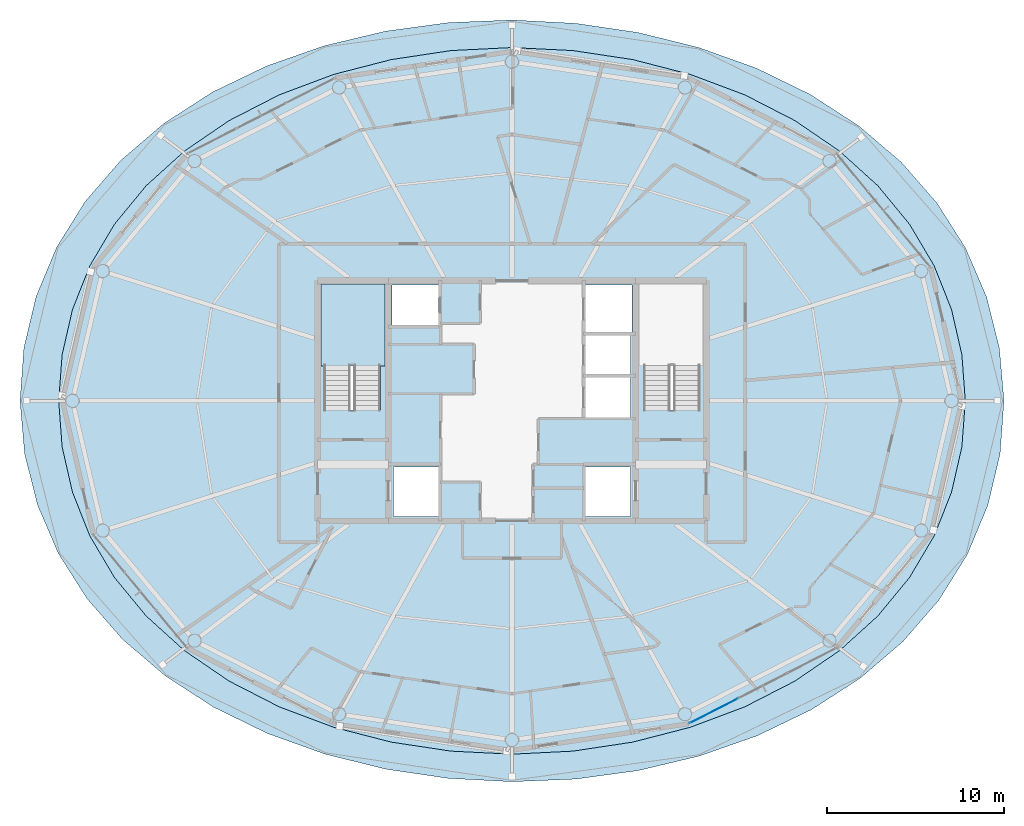
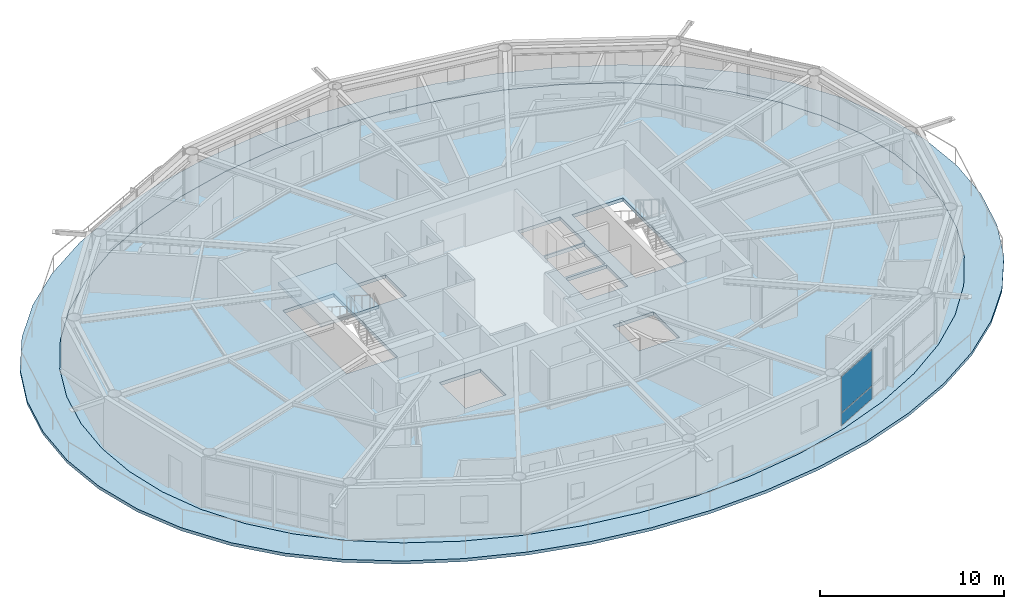
# One storey, part 13 of 23: 3 slabs, 2 plates, 2 elements without a shape of their own.
"""IFC4 building model written with IfcOpenShell, lengths in metres."""

from ifc_helpers import new_model, si_unit, direction, frame, origin, origin_2d, place, context, subcontext, project, spatial, polyline, rectangle, outline, extrude, material, layer, layer_set, type_object, element, aggregate, save


model = new_model("IFC4")

# Units and contexts
model_context = context("Model", 3, precision=1e-05, world=origin(), true_north=direction((0.0, 1.0)))
body_context = subcontext(model_context, "Body", "Model", "MODEL_VIEW")
ifc_project = project(units=[si_unit("LENGTHUNIT", "METRE"), si_unit("AREAUNIT", "SQUARE_METRE"), si_unit("VOLUMEUNIT", "CUBIC_METRE"), si_unit("PLANEANGLEUNIT", "RADIAN"), si_unit("MASSUNIT", "GRAM", prefix="KILO")], contexts=[model_context])

# Site, building, storey
site_placement = place(None, origin())
site = spatial("IfcSite", under=ifc_project, at=site_placement, CompositionType="ELEMENT")
building_placement = place(site_placement, origin())
building = spatial("IfcBuilding", under=site, at=building_placement, Name="Sarneth Arch Tower", CompositionType="ELEMENT")
storey_placement = place(building_placement, frame((0.0, 0.0, 280.199951171875)))
storey = spatial("IfcBuildingStorey", under=building, at=storey_placement, Name="L72", CompositionType="ELEMENT", Elevation=280.199951171875)

# Curtain wall, plates
ifc_material_1 = material(Name="Anodised aluminium Type AA25 and solar-control low-e laminated IGU", Category="aluminium")
ifc_layer_1 = layer(ifc_material_1, 0.179931640625)
ifc_layer_set_1 = layer_set([ifc_layer_1], Name="Anodised aluminium Type AA25 and solar-control low-e laminated IGU")
curtain_wall_type = type_object("IfcCurtainWallType", Name="CW-RES-HIGH", PredefinedType="NOTDEFINED", material=ifc_layer_set_1)
curtain_wall_placement = place(storey_placement, origin())
curtain_wall = element("IfcCurtainWall", 1, at=curtain_wall_placement, inside=storey, type_object=curtain_wall_type, Name="L72 Unitised curtain wall facet 14", PredefinedType="NOTDEFINED")
ifc_material_2 = material(Name="Solar-control low-e laminated IGU", Category="glass")
ifc_layer_2 = layer(ifc_material_2, 0.028076171875)
ifc_layer_set_2 = layer_set([ifc_layer_2], Name="Solar-control low-e laminated IGU")
plate_type = type_object("IfcPlateType", Name="CW-PANEL", PredefinedType="CURTAIN_PANEL", material=ifc_layer_set_2)
plate_1_placement = place(storey_placement, frame((59.4208984375, 24.447021484375, 0.06005859375), z_axis=(0.0, 0.0, 1.0), x_axis=(0.890009540525, 0.455941901753, 0.0)))
plate_1 = element("IfcPlate", 2, at=plate_1_placement, type_object=plate_type, Name="Curtain wall glazed vision pane CW-L72-F14/P00-00", PredefinedType="CURTAIN_PANEL", context=body_context, shape_type="SweptSolid", body=[
    extrude(rectangle(XDim=3.044677734375, YDim=0.028076171875, at=origin_2d()), origin(), (0.0, 0.0, 1.0), 0.81005859375),
])
plate_2_placement = place(storey_placement, frame((59.4208984375, 24.447021484375, 0.93017578125), z_axis=(0.0, 0.0, 1.0), x_axis=(0.890009540525, 0.455941901753, 0.0)))
plate_2 = element("IfcPlate", 3, at=plate_2_placement, type_object=plate_type, Name="Curtain wall glazed vision pane CW-L72-F14/P00-01", PredefinedType="CURTAIN_PANEL", context=body_context, shape_type="SweptSolid", body=[
    extrude(rectangle(XDim=3.044677734375, YDim=0.028076171875, at=origin_2d()), origin(), (0.0, 0.0, 1.0), 2.3798828125),
])
aggregate(curtain_wall, [plate_1, plate_2])

# Slab
ifc_material_3 = material(Name="Concrete C50/60", Category="concrete")
ifc_layer_3 = layer(ifc_material_3, 0.199951171875)
ifc_layer_set_3 = layer_set([ifc_layer_3], Name="Concrete C50/60")
slab_type_1 = type_object("IfcSlabType", Name="SLAB-BALC-200", PredefinedType="FLOOR", material=ifc_layer_set_3)
slab_1_placement = place(storey_placement, frame((0.0, 0.0, -0.199951171875)))
element("IfcSlab", 4, at=slab_1_placement, inside=storey, type_object=slab_type_1, Name="L72 Helical balcony band slab", PredefinedType="FLOOR", context=body_context, shape_type="SweptSolid", body=[
    extrude(outline(polyline([(75.85107421875, 42.0), (75.591552734375, 44.990234375), (74.861328125, 47.89501953125), (73.67626953125, 50.649169921875), (72.056396484375, 53.202880859375), (70.026123046875, 55.52099609375), (67.616943359375, 57.57763671875), (64.8701171875, 59.353271484375), (61.8369140625, 60.83203125), (58.574462890625, 62.0009765625), (55.142822265625, 62.849853515625), (51.599609375, 63.371337890625), (48.0, 63.5595703125), (44.396240234375, 63.411865234375), (40.841552734375, 62.927001953125), (37.392333984375, 62.10693359375), (34.108642578125, 60.956787109375), (31.0537109375, 59.48486328125), (28.28857421875, 57.703369140625), (25.867919921875, 55.629638671875), (23.8359375, 53.2861328125), (22.2265625, 50.703369140625), (21.064697265625, 47.921875), (20.368408203125, 44.997314453125), (20.14892578125, 42.0), (20.408447265625, 39.009765625), (21.138671875, 36.10498046875), (22.32373046875, 33.350830078125), (23.943603515625, 30.797119140625), (25.973876953125, 28.47900390625), (28.383056640625, 26.42236328125), (31.1298828125, 24.646728515625), (34.1630859375, 23.16796875), (37.425537109375, 21.9990234375), (40.857177734375, 21.150146484375), (44.400390625, 20.628662109375), (48.0, 20.4404296875), (51.603759765625, 20.588134765625), (55.158447265625, 21.072998046875), (58.607666015625, 21.89306640625), (61.891357421875, 23.043212890625), (64.9462890625, 24.51513671875), (67.71142578125, 26.296630859375), (70.132080078125, 28.370361328125), (72.1640625, 30.7138671875), (73.7734375, 33.296630859375), (74.935302734375, 36.078125), (75.631591796875, 39.002685546875), (75.85107421875, 42.0)]), holes=[polyline([(73.660888671875, 42.0), (73.466064453125, 44.610595703125), (72.87890625, 47.17626953125), (71.892822265625, 49.653564453125), (70.5029296875, 52.0), (68.712158203125, 54.17529296875), (66.536865234375, 56.14208984375), (64.009521484375, 57.8671875), (61.177001953125, 59.320556640625), (58.0966796875, 60.4775390625), (54.83203125, 61.318603515625), (51.44580078125, 61.828857421875), (48.0, 62.0), (44.55419921875, 61.828857421875), (41.16796875, 61.318603515625), (37.9033203125, 60.4775390625), (34.822998046875, 59.320556640625), (31.990478515625, 57.8671875), (29.463134765625, 56.14208984375), (27.287841796875, 54.17529296875), (25.4970703125, 52.0), (24.107177734375, 49.653564453125), (23.12109375, 47.17626953125), (22.533935546875, 44.610595703125), (22.339111328125, 42.0), (22.533935546875, 39.389404296875), (23.12109375, 36.82373046875), (24.107177734375, 34.346435546875), (25.4970703125, 32.0), (27.287841796875, 29.82470703125), (29.463134765625, 27.85791015625), (31.990478515625, 26.1328125), (34.822998046875, 24.679443359375), (37.9033203125, 23.5224609375), (41.16796875, 22.681396484375), (44.55419921875, 22.171142578125), (48.0, 22.0), (51.44580078125, 22.171142578125), (54.83203125, 22.681396484375), (58.0966796875, 23.5224609375), (61.177001953125, 24.679443359375), (64.009521484375, 26.1328125), (66.536865234375, 27.85791015625), (68.712158203125, 29.82470703125), (70.5029296875, 32.0), (71.892822265625, 34.346435546875), (72.87890625, 36.82373046875), (73.466064453125, 39.389404296875), (73.660888671875, 42.0)])]), origin(), (0.0, 0.0, 1.0), 0.199951171875),
])

# Stair, slab
ifc_material_4 = material(Name="Concrete C50/60", Category="concrete")
stair_type = type_object("IfcStairType", Name="STAIR-CORE-RC", PredefinedType="HALF_TURN_STAIR", material=ifc_material_4)
stair_placement = place(storey_placement, origin())
stair = element("IfcStair", 5, at=stair_placement, inside=storey, type_object=stair_type, Name="L72 Core Exit Stair 1", PredefinedType="HALF_TURN_STAIR")
ifc_material_5 = material(Name="Concrete C50/60", Category="concrete")
ifc_layer_4 = layer(ifc_material_5, 0.199951171875)
ifc_layer_set_4 = layer_set([ifc_layer_4], Name="Concrete C50/60")
slab_type_2 = type_object("IfcSlabType", Name="SLAB-LANDING-200", PredefinedType="LANDING", material=ifc_layer_set_4)
slab_2_placement = place(storey_placement, frame((0.0, 0.0, 1.60009765625)))
slab_2 = element("IfcSlab", 6, at=slab_2_placement, type_object=slab_type_2, Name="ST-1 landing 1", PredefinedType="LANDING", context=body_context, shape_type="SweptSolid", body=[
    extrude(outline(polyline([(37.175048828125, 43.985107421875), (40.824951171875, 43.985107421875), (40.824951171875, 48.625), (37.175048828125, 48.625), (37.175048828125, 43.985107421875)])), origin(), (0.0, 0.0, 1.0), 0.199951171875),
])
aggregate(stair, [slab_2])

# Slab
ifc_material_6 = material(Name="Concrete C50/60", Category="concrete")
ifc_layer_5 = layer(ifc_material_6, 0.22998046875)
ifc_layer_set_5 = layer_set([ifc_layer_5], Name="Concrete C50/60")
slab_type_3 = type_object("IfcSlabType", Name="SLAB-TOWER-230", PredefinedType="FLOOR", material=ifc_layer_set_5)
slab_3_placement = place(storey_placement, frame((0.0, 0.0, -0.22998046875)))
element("IfcSlab", 7, at=slab_3_placement, inside=storey, type_object=slab_type_3, Name="L72 Elliptical floor slab", PredefinedType="FLOOR", context=body_context, shape_type="SweptSolid", body=[
    extrude(outline(polyline([(73.660888671875, 42.0), (73.466064453125, 44.610595703125), (72.87890625, 47.17626953125), (71.892822265625, 49.653564453125), (70.5029296875, 52.0), (68.712158203125, 54.17529296875), (66.536865234375, 56.14208984375), (64.009521484375, 57.8671875), (61.177001953125, 59.320556640625), (58.0966796875, 60.4775390625), (54.83203125, 61.318603515625), (51.44580078125, 61.828857421875), (48.0, 62.0), (44.55419921875, 61.828857421875), (41.16796875, 61.318603515625), (37.9033203125, 60.4775390625), (34.822998046875, 59.320556640625), (31.990478515625, 57.8671875), (29.463134765625, 56.14208984375), (27.287841796875, 54.17529296875), (25.4970703125, 52.0), (24.107177734375, 49.653564453125), (23.12109375, 47.17626953125), (22.533935546875, 44.610595703125), (22.339111328125, 42.0), (22.533935546875, 39.389404296875), (23.12109375, 36.82373046875), (24.107177734375, 34.346435546875), (25.4970703125, 32.0), (27.287841796875, 29.82470703125), (29.463134765625, 27.85791015625), (31.990478515625, 26.1328125), (34.822998046875, 24.679443359375), (37.9033203125, 23.5224609375), (41.16796875, 22.681396484375), (44.55419921875, 22.171142578125), (48.0, 22.0), (51.44580078125, 22.171142578125), (54.83203125, 22.681396484375), (58.0966796875, 23.5224609375), (61.177001953125, 24.679443359375), (64.009521484375, 26.1328125), (66.536865234375, 27.85791015625), (68.712158203125, 29.82470703125), (70.5029296875, 32.0), (71.892822265625, 34.346435546875), (72.87890625, 36.82373046875), (73.466064453125, 39.389404296875), (73.660888671875, 42.0)]), holes=[polyline([(37.35009765625, 41.489990234375), (40.550048828125, 41.489990234375), (40.550048828125, 48.39990234375), (37.35009765625, 48.39990234375), (37.35009765625, 41.489990234375)]), polyline([(55.449951171875, 41.489990234375), (58.64990234375, 41.489990234375), (58.64990234375, 48.39990234375), (55.449951171875, 48.39990234375), (55.449951171875, 41.489990234375)]), polyline([(41.199951171875, 46.25), (43.85009765625, 46.25), (43.85009765625, 48.550048828125), (41.199951171875, 48.550048828125), (41.199951171875, 46.25)]), polyline([(41.300048828125, 35.449951171875), (43.85009765625, 35.449951171875), (43.85009765625, 38.25), (41.300048828125, 38.25), (41.300048828125, 35.449951171875)]), polyline([(52.14990234375, 35.449951171875), (54.699951171875, 35.449951171875), (54.699951171875, 38.25), (52.14990234375, 38.25), (52.14990234375, 35.449951171875)]), polyline([(52.14990234375, 45.85009765625), (54.800048828125, 45.85009765625), (54.800048828125, 48.550048828125), (52.14990234375, 48.550048828125), (52.14990234375, 45.85009765625)]), polyline([(52.14990234375, 41.050048828125), (54.699951171875, 41.050048828125), (54.699951171875, 43.35009765625), (52.14990234375, 43.35009765625), (52.14990234375, 41.050048828125)]), polyline([(52.14990234375, 43.5), (54.699951171875, 43.5), (54.699951171875, 45.75), (52.14990234375, 45.75), (52.14990234375, 43.5)])]), origin(), (0.0, 0.0, 1.0), 0.22998046875),
])

save(model, "model.ifc")
